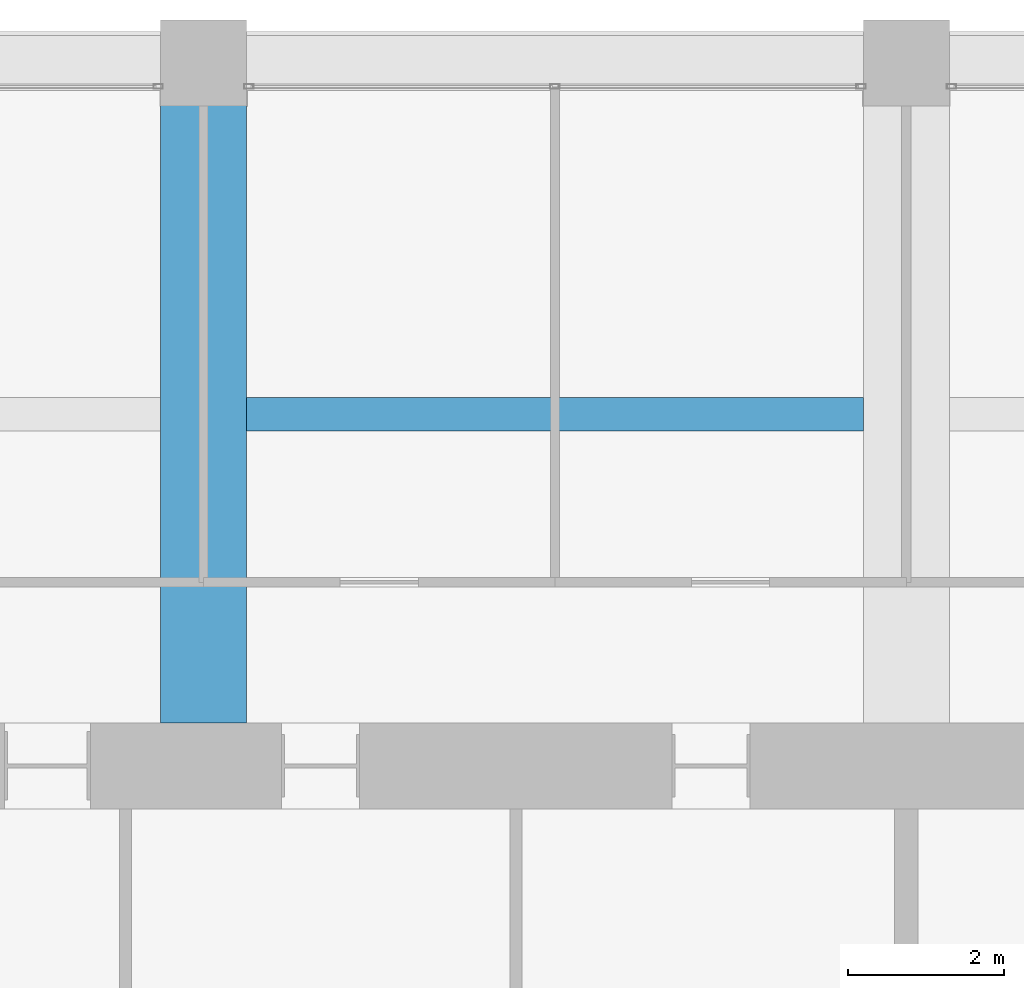
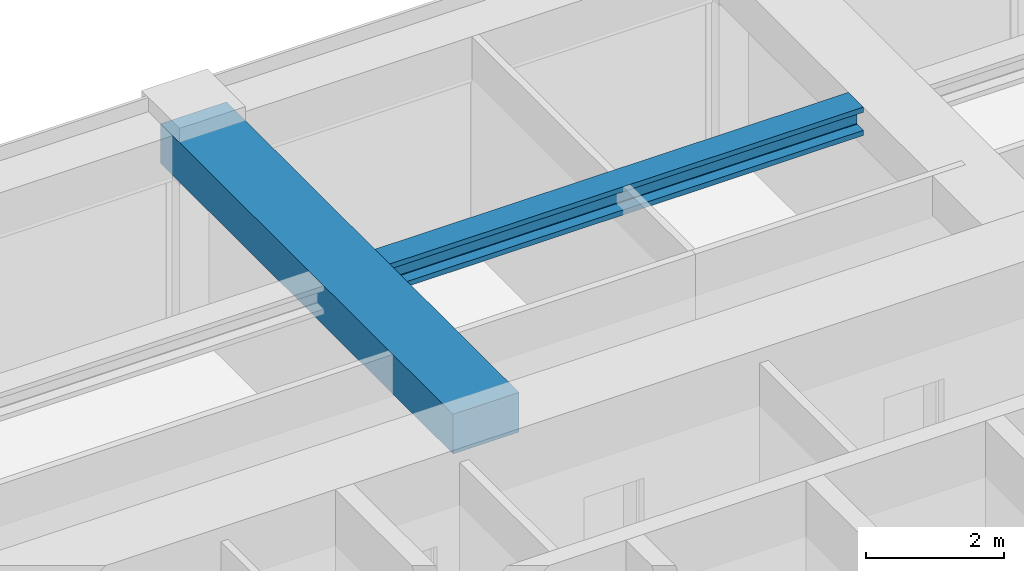
# One storey, part 32 of 44: 2 beams.
"""IFC4 building model written with IfcOpenShell, lengths in metres."""

from ifc_helpers import new_model, si_unit, direction, frame, origin, origin_2d, place, context, subcontext, project, spatial, rectangle, i_section, extrude, material, material_profile, profile_set, type_object, element, save


model = new_model("IFC4")

# Units and contexts
model_context = context("Model", 3, precision=1e-05, world=origin(), true_north=direction((0.0, 1.0)))
body_context = subcontext(model_context, "Body", "Model", "MODEL_VIEW")
ifc_project = project(units=[si_unit("LENGTHUNIT", "METRE"), si_unit("AREAUNIT", "SQUARE_METRE"), si_unit("VOLUMEUNIT", "CUBIC_METRE"), si_unit("PLANEANGLEUNIT", "RADIAN"), si_unit("MASSUNIT", "GRAM", prefix="KILO")], contexts=[model_context])

# Site, building, storey
site_placement = place(None, origin())
site = spatial("IfcSite", under=ifc_project, at=site_placement, CompositionType="ELEMENT")
building_placement = place(site_placement, origin())
building = spatial("IfcBuilding", under=site, at=building_placement, Name="Zorevar Civic Tower", CompositionType="ELEMENT")
storey_placement = place(building_placement, frame((0.0, 0.0, 255.39990234375)))
storey = spatial("IfcBuildingStorey", under=building, at=storey_placement, Name="L62", CompositionType="ELEMENT", Elevation=255.39990234375)

# Beams
ifc_material_1 = material(Name="Concrete C50/60", Category="concrete")
ifc_material_profile_1 = material_profile(ifc_material_1, rectangle(XDim=1.10009765625, YDim=0.699951171875, at=origin_2d()), Name="RC 1100x700")
ifc_profile_set_1 = profile_set([ifc_material_profile_1], Name="Concrete C50/60")
beam_type_1 = type_object("IfcBeamType", Name="Beam RC 1100x700", PredefinedType="BEAM", material=ifc_profile_set_1)
beam_1_placement = place(storey_placement, frame((27.0, 36.550048828125, 3.400146484375), z_axis=(0.0, 1.0, 0.0), x_axis=(-1.0, 0.0, 0.0)))
element("IfcBeam", 1, at=beam_1_placement, inside=storey, type_object=beam_type_1, Name="Girder L63", PredefinedType="BEAM", context=body_context, shape_type="SweptSolid", body=[
    extrude(rectangle(XDim=1.10009765625, YDim=0.699951171875, at=origin_2d()), origin(), (0.0, 0.0, 1.0), 8.449951171875),
])
ifc_material_2 = material(Name="Steel S460M (HISTAR 460)", Category="steel")
ifc_material_profile_2 = material_profile(ifc_material_2, i_section(OverallWidth=0.431884765625, OverallDepth=0.498046875, WebThickness=0.0556640625, FlangeThickness=0.0888671875, FilletRadius=0.014892578125, at=origin_2d()), Name="HD 400x744")
ifc_profile_set_2 = profile_set([ifc_material_profile_2], Name="Steel S460M (HISTAR 460)")
beam_type_2 = type_object("IfcBeamType", Name="Core bay beam HD 400x744", PredefinedType="BEAM", material=ifc_profile_set_2)
beam_2_placement = place(storey_placement, frame((27.550048828125, 40.5, 3.5009765625), z_axis=(1.0, 0.0, 0.0), x_axis=(0.0, 1.0, 0.0)))
element("IfcBeam", 2, at=beam_2_placement, inside=storey, type_object=beam_type_2, Name="Secondary beam L63", PredefinedType="BEAM", context=body_context, shape_type="SweptSolid", body=[
    extrude(i_section(OverallWidth=0.431884765625, OverallDepth=0.498046875, WebThickness=0.0556640625, FlangeThickness=0.0888671875, FilletRadius=0.014892578125, at=origin_2d()), origin(), (0.0, 0.0, 1.0), 7.89990234375),
])

save(model, "model.ifc")
